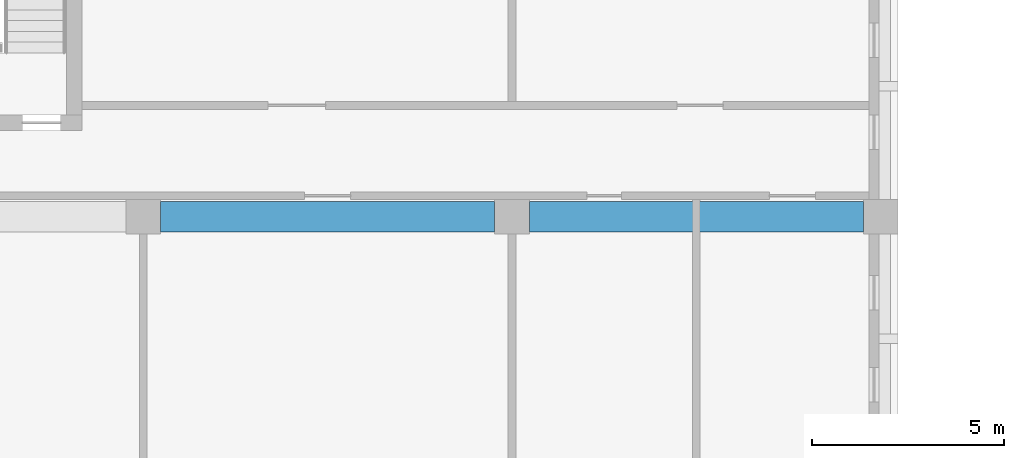
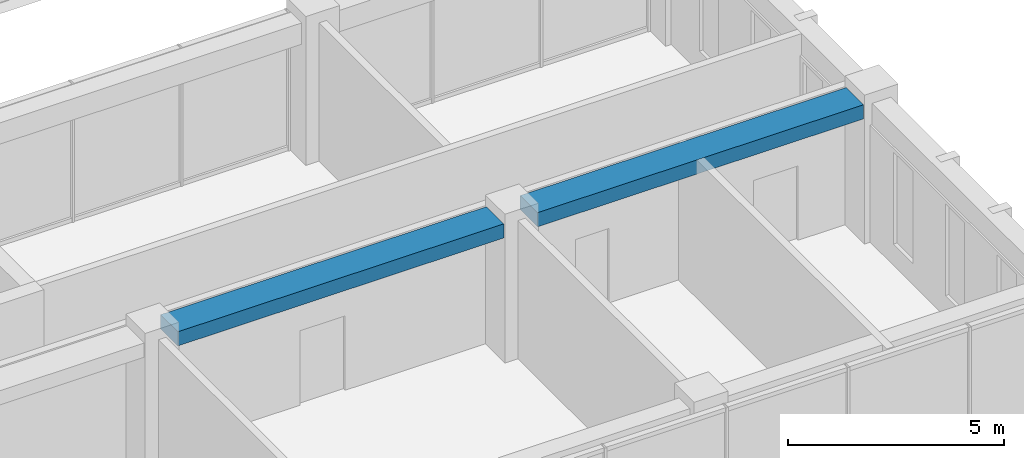
# One storey, part 13 of 37: 2 beams.
"""IFC4 building model written with IfcOpenShell, lengths in metres."""

from ifc_helpers import new_model, si_unit, direction, frame, origin, origin_2d, place, context, subcontext, project, spatial, rectangle, extrude, material, material_profile, profile_set, type_object, element, save


model = new_model("IFC4")

# Units and contexts
model_context = context("Model", 3, precision=1e-05, world=origin(), true_north=direction((0.0, 1.0)))
body_context = subcontext(model_context, "Body", "Model", "MODEL_VIEW")
ifc_project = project(units=[si_unit("LENGTHUNIT", "METRE"), si_unit("AREAUNIT", "SQUARE_METRE"), si_unit("VOLUMEUNIT", "CUBIC_METRE"), si_unit("PLANEANGLEUNIT", "RADIAN"), si_unit("MASSUNIT", "GRAM", prefix="KILO")], contexts=[model_context])

# Site, building, storey
site_placement = place(None, origin())
site = spatial("IfcSite", under=ifc_project, at=site_placement, CompositionType="ELEMENT")
building_placement = place(site_placement, origin())
building = spatial("IfcBuilding", under=site, at=building_placement, Name="Nzadi Deep Aquarium and Research Tower", CompositionType="ELEMENT")
storey_placement = place(building_placement, frame((0.0, 0.0, 61.300048828125)))
storey = spatial("IfcBuildingStorey", under=building, at=storey_placement, Name="L12", CompositionType="ELEMENT", Elevation=61.300048828125)

# Beams
ifc_material = material(Name="Concrete C35/45", Category="concrete")
ifc_material_profile = material_profile(ifc_material, rectangle(XDim=0.800048828125, YDim=0.39990234375, at=origin_2d()))
ifc_profile_set = profile_set([ifc_material_profile], Name="Concrete C35/45")
beam_type = type_object("IfcBeamType", Name="RC 800x400", PredefinedType="BEAM", material=ifc_profile_set)
for number, where, z_axis, x_axis, name in (
    (1, (29.25, 9.199951171875, 3.699951171875), (1.0, 0.0, 0.0), (0.0, 1.0, 0.0), "B-Z1-L12-L2-4"),
    (2, (38.85009765625, 9.199951171875, 3.699951171875), (1.0, 0.0, 0.0), (0.0, 1.0, 0.0), "B-Z1-L12-L2-5"),
):
    element("IfcBeam", number, at=place(storey_placement, frame(where, z_axis=z_axis, x_axis=x_axis)), inside=storey, type_object=beam_type, Name=name, PredefinedType="BEAM", context=body_context, shape_type="SweptSolid", body=[
        extrude(rectangle(XDim=0.800048828125, YDim=0.39990234375, at=origin_2d()), origin(), (0.0, 0.0, 1.0), 8.699951171875),
    ])

save(model, "model.ifc")
